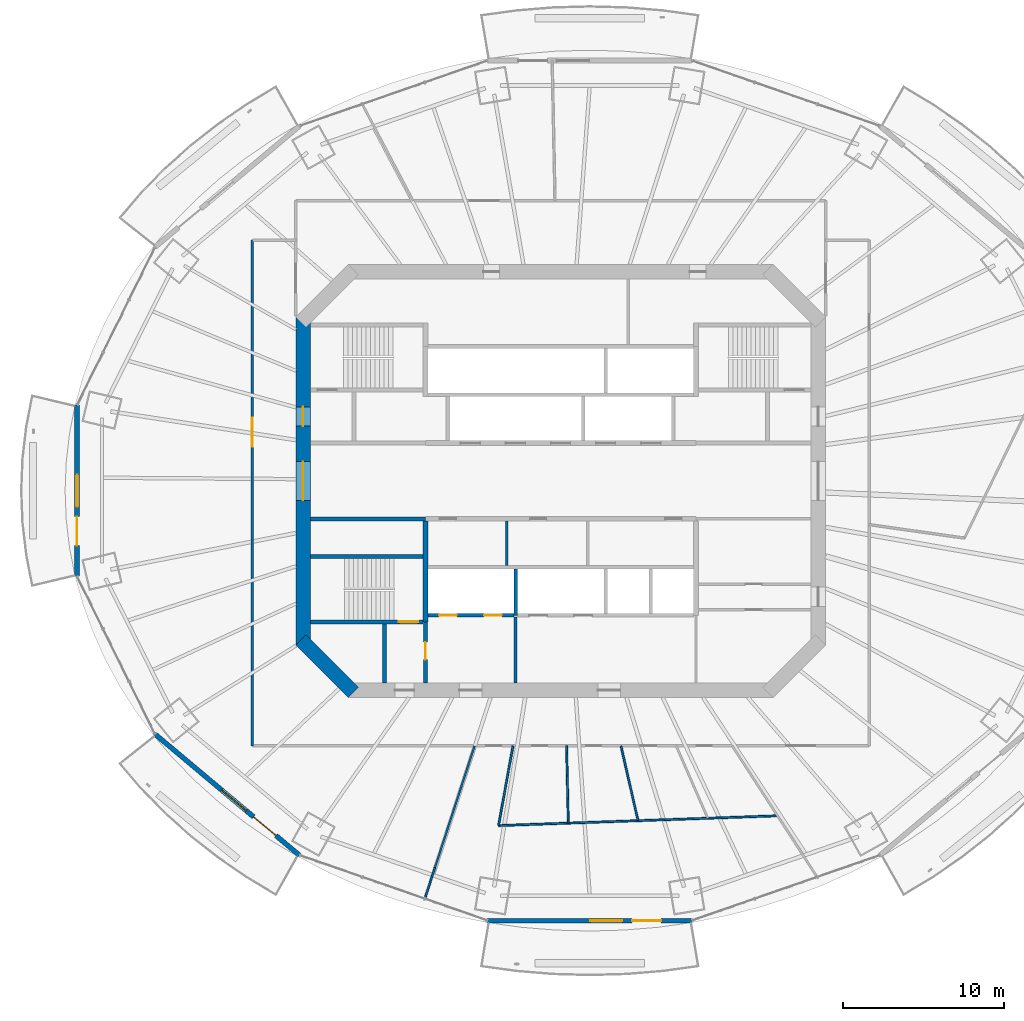
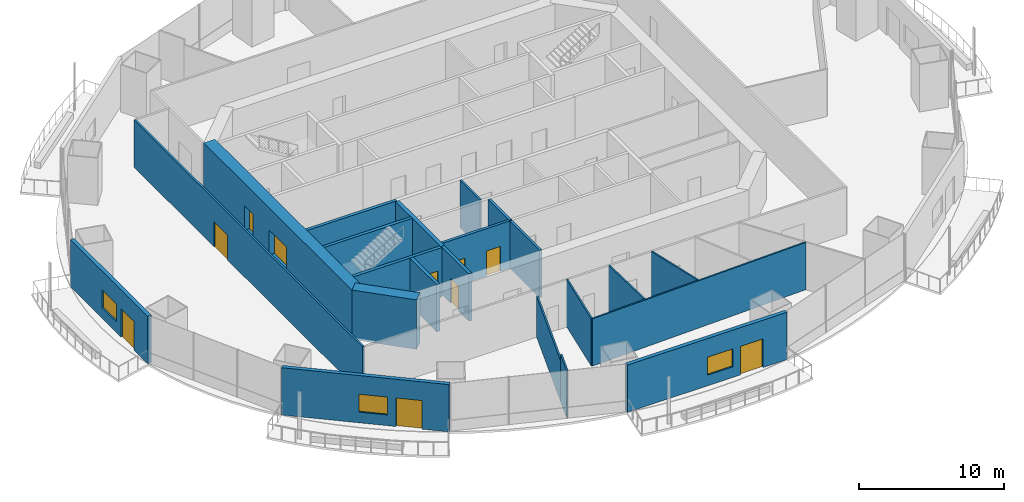
# One storey, part 11 of 20: 22 walls, 10 doors, 3 windows, 13 openings.
"""IFC4 building model written with IfcOpenShell, lengths in metres."""

from ifc_helpers import new_model, si_unit, direction, frame, frame_2d, origin, place, context, subcontext, project, spatial, rectangle, extrude, material, layer, layer_set, type_object, element, fill, save


model = new_model("IFC4")

# Units and contexts
model_context = context("Model", 3, precision=1e-05, world=origin(), true_north=direction((0.0, 1.0)))
body_context = subcontext(model_context, "Body", "Model", "MODEL_VIEW")
ifc_project = project(units=[si_unit("LENGTHUNIT", "METRE"), si_unit("AREAUNIT", "SQUARE_METRE"), si_unit("VOLUMEUNIT", "CUBIC_METRE"), si_unit("PLANEANGLEUNIT", "RADIAN"), si_unit("MASSUNIT", "GRAM", prefix="KILO")], contexts=[model_context])

# Site, building, storey
site_placement = place(None, origin())
site = spatial("IfcSite", under=ifc_project, at=site_placement, CompositionType="ELEMENT")
building_placement = place(site_placement, origin())
building = spatial("IfcBuilding", under=site, at=building_placement, Name="Marenthal Gate Tower", CompositionType="ELEMENT")
storey_placement = place(building_placement, frame((0.0, 0.0, 181.800048828125)))
storey = spatial("IfcBuildingStorey", under=building, at=storey_placement, Name="L39", CompositionType="ELEMENT", Elevation=181.800048828125)

# Wall, openings, doors
ifc_material_1 = material(Name="Concrete 60 MPa", Category="concrete")
ifc_layer_1 = layer(ifc_material_1, 0.89990234375)
ifc_layer_set_1 = layer_set([ifc_layer_1], Name="Core shear wall 900")
wall_type_1 = type_object("IfcWallType", Name="Core shear wall 900", PredefinedType="SHEAR", material=ifc_layer_set_1)
wall_1_placement = place(storey_placement, frame((-16.0, 10.186279296875, -0.179931640625), z_axis=(0.0, 0.0, 1.0), x_axis=(0.0, -1.0, 0.0)))
wall_1 = element("IfcWall", 1, at=wall_1_placement, inside=storey, type_object=wall_type_1, Name="Core wall 06", PredefinedType="SHEAR", context=body_context, shape_type="SweptSolid", body=[
    extrude(rectangle(XDim=20.37255859375, YDim=0.89990234375, at=frame_2d((10.186279296875, 0.0))), origin(), (0.0, 0.0, 1.0), 4.14990234375),
])
opening_1_placement = place(wall_1_placement, frame((8.986328125, 0.0, 0.179931640625)))
opening_1 = element("IfcOpeningElement", 2, at=opening_1_placement, cuts=wall_1, Name="Opening D003.01", PredefinedType="OPENING", context=body_context, shape_type="SweptSolid", body=[
    extrude(rectangle(XDim=2.39990234375, YDim=2.10009765625, at=frame_2d((1.199951171875, 1.050048828125))), frame((0.0, 0.4599609375, 0.0), z_axis=(0.0, -1.0, 0.0), x_axis=(1.0, 0.0, 0.0)), (0.0, 0.0, 1.0), 0.919921875),
])
opening_2_placement = place(wall_1_placement, frame((5.58642578125, 0.0, 0.179931640625)))
opening_2 = element("IfcOpeningElement", 3, at=opening_2_placement, cuts=wall_1, Name="Opening D001.04", PredefinedType="OPENING", context=body_context, shape_type="SweptSolid", body=[
    extrude(rectangle(XDim=1.199951171875, YDim=2.10009765625, at=frame_2d((0.60009765625, 1.050048828125))), frame((0.0, 0.4599609375, 0.0), z_axis=(0.0, -1.0, 0.0), x_axis=(1.0, 0.0, 0.0)), (0.0, 0.0, 1.0), 0.919921875),
])
ifc_material_2 = material(Name="Steel fire door", Category="steel")
door_type_1 = type_object("IfcDoorType", Name="Double fire door FD 45 2400 x 2100", OperationType="DOUBLE_DOOR_SINGLE_SWING", PredefinedType="DOOR", material=ifc_material_2)
door_1_placement = place(opening_1_placement, origin())
door_1 = element("IfcDoor", 4, at=door_1_placement, inside=storey, type_object=door_type_1, Name="Door D003.01", OperationType="DOUBLE_DOOR_SINGLE_SWING", OverallHeight=2.10009765625, OverallWidth=2.39990234375, PredefinedType="DOOR", context=body_context, shape_type="SweptSolid", body=[
    extrude(rectangle(XDim=2.39990234375, YDim=2.10009765625, at=frame_2d((1.199951171875, 1.050048828125))), frame((0.0, 0.02490234375, 0.0), z_axis=(0.0, -1.0, 0.0), x_axis=(1.0, 0.0, 0.0)), (0.0, 0.0, 1.0), 0.050048828125),
])
fill(opening_1, door_1)
ifc_material_3 = material(Name="Steel fire door", Category="steel")
door_type_2 = type_object("IfcDoorType", Name="Fire door FD 90 1200 x 2100", OperationType="NOTDEFINED", PredefinedType="DOOR", material=ifc_material_3)
door_2_placement = place(opening_2_placement, origin())
door_2 = element("IfcDoor", 5, at=door_2_placement, inside=storey, type_object=door_type_2, Name="Door D001.04", OperationType="SINGLE_SWING_RIGHT", OverallHeight=2.10009765625, OverallWidth=1.199951171875, PredefinedType="DOOR", context=body_context, shape_type="SweptSolid", body=[
    extrude(rectangle(XDim=1.199951171875, YDim=2.10009765625, at=frame_2d((0.60009765625, 1.050048828125))), frame((0.0, 0.02490234375, 0.0), z_axis=(0.0, -1.0, 0.0), x_axis=(1.0, 0.0, 0.0)), (0.0, 0.0, 1.0), 0.050048828125),
])
fill(opening_2, door_2)

# Walls
wall_2_placement = place(storey_placement, frame((-16.1318359375, -9.8681640625, -0.179931640625), z_axis=(0.0, 0.0, 1.0), x_axis=(0.707106781187, -0.707106781187, 0.0)))
element("IfcWall", 6, at=wall_2_placement, inside=storey, type_object=wall_type_1, Name="Core wall 07", PredefinedType="SHEAR", context=body_context, shape_type="SweptSolid", body=[
    extrude(rectangle(XDim=4.615478515625, YDim=0.89990234375, at=frame_2d((2.3076171875, 0.0))), origin(), (0.0, 0.0, 1.0), 4.14990234375),
])
ifc_material_4 = material(Name="Gypsum board on steel studs", Category="steel")
ifc_layer_2 = layer(ifc_material_4, 0.199951171875)
ifc_layer_set_2 = layer_set([ifc_layer_2], Name="Fire lobby wall 200")
wall_type_2 = type_object("IfcWallType", Name="Fire lobby wall 200", PredefinedType="PARTITIONING", material=ifc_layer_set_2)
wall_3_placement = place(storey_placement, frame((-2.800048828125, -12.550048828125, 0.0), z_axis=(0.0, 0.0, 1.0), x_axis=(0.0, 1.0, 0.0)))
element("IfcWall", 7, at=wall_3_placement, inside=storey, type_object=wall_type_2, Name="Fire wall 36", PredefinedType="PARTITIONING", context=body_context, shape_type="SweptSolid", body=[
    extrude(rectangle(XDim=4.090087890625, YDim=0.199951171875, at=frame_2d((2.044921875, 0.0))), origin(), (0.0, 0.0, 1.0), 3.969970703125),
])
ifc_material_5 = material(Name="Concrete 50 MPa", Category="concrete")
ifc_layer_3 = layer(ifc_material_5, 0.300048828125)
ifc_layer_set_3 = layer_set([ifc_layer_3], Name="Hoistway shear wall 300")
wall_type_3 = type_object("IfcWallType", Name="Hoistway shear wall 300", PredefinedType="SHEAR", material=ifc_layer_set_3)
wall_4_placement = place(storey_placement, frame((-8.39990234375, -8.75, -0.179931640625), z_axis=(0.0, 0.0, 1.0), x_axis=(0.0, 1.0, 0.0)))
element("IfcWall", 8, at=wall_4_placement, inside=storey, type_object=wall_type_3, Name="Hoistway wall 31", PredefinedType="SHEAR", context=body_context, shape_type="SweptSolid", body=[
    extrude(rectangle(XDim=6.25, YDim=0.300048828125, at=frame_2d((3.125, 0.0))), origin(), (0.0, 0.0, 1.0), 4.14990234375),
])

# Wall, openings, doors
ifc_material_6 = material(Name="Concrete 40 MPa", Category="concrete")
ifc_layer_4 = layer(ifc_material_6, 0.219970703125)
ifc_layer_set_4 = layer_set([ifc_layer_4], Name="Hoistway wall 220")
wall_type_4 = type_object("IfcWallType", Name="Hoistway wall 220", PredefinedType="STANDARD", material=ifc_layer_set_4)
wall_5_placement = place(storey_placement, frame((-8.25, -8.35009765625, 0.0), z_axis=(0.0, 0.0, 1.0), x_axis=(1.0, 0.0, 0.0)))
wall_5 = element("IfcWall", 9, at=wall_5_placement, inside=storey, type_object=wall_type_4, Name="Hoistway wall 10", PredefinedType="STANDARD", context=body_context, shape_type="SweptSolid", body=[
    extrude(rectangle(XDim=5.340087890625, YDim=0.219970703125, at=frame_2d((2.669921875, 0.0))), origin(), (0.0, 0.0, 1.0), 3.969970703125),
])
opening_3_placement = place(wall_5_placement, frame((0.699951171875, 0.0, 0.0)))
opening_3 = element("IfcOpeningElement", 10, at=opening_3_placement, cuts=wall_5, Name="Opening LD-LF1", PredefinedType="OPENING", context=body_context, shape_type="SweptSolid", body=[
    extrude(rectangle(XDim=1.10009765625, YDim=2.10009765625, at=frame_2d((0.550048828125, 1.050048828125))), frame((0.0, 0.1201171875, 0.0), z_axis=(0.0, -1.0, 0.0), x_axis=(1.0, 0.0, 0.0)), (0.0, 0.0, 1.0), 0.239990234375),
])
opening_4_placement = place(wall_5_placement, frame((3.5, 0.0, 0.0)))
opening_4 = element("IfcOpeningElement", 11, at=opening_4_placement, cuts=wall_5, Name="Opening LD-LF2", PredefinedType="OPENING", context=body_context, shape_type="SweptSolid", body=[
    extrude(rectangle(XDim=1.10009765625, YDim=2.10009765625, at=frame_2d((0.550048828125, 1.050048828125))), frame((0.0, 0.1201171875, 0.0), z_axis=(0.0, -1.0, 0.0), x_axis=(1.0, 0.0, 0.0)), (0.0, 0.0, 1.0), 0.239990234375),
])
ifc_material_7 = material(Name="Stainless steel sliding door", Category="steel")
door_type_3 = type_object("IfcDoorType", Name="Lift landing door FD 90 1100 x 2100", OperationType="DOUBLE_DOOR_SLIDING", PredefinedType="DOOR", material=ifc_material_7)
door_3_placement = place(opening_3_placement, origin())
door_3 = element("IfcDoor", 12, at=door_3_placement, inside=storey, type_object=door_type_3, Name="Lift landing door LF1", OperationType="DOUBLE_DOOR_SLIDING", OverallHeight=2.10009765625, OverallWidth=1.10009765625, PredefinedType="DOOR", context=body_context, shape_type="SweptSolid", body=[
    extrude(rectangle(XDim=1.10009765625, YDim=2.10009765625, at=frame_2d((0.550048828125, 1.050048828125))), frame((0.0, 0.02490234375, 0.0), z_axis=(0.0, -1.0, 0.0), x_axis=(1.0, 0.0, 0.0)), (0.0, 0.0, 1.0), 0.050048828125),
])
fill(opening_3, door_3)
door_4_placement = place(opening_4_placement, origin())
door_4 = element("IfcDoor", 13, at=door_4_placement, inside=storey, type_object=door_type_3, Name="Lift landing door LF2", OperationType="DOUBLE_DOOR_SLIDING", OverallHeight=2.10009765625, OverallWidth=1.10009765625, PredefinedType="DOOR", context=body_context, shape_type="SweptSolid", body=[
    extrude(rectangle(XDim=1.10009765625, YDim=2.10009765625, at=frame_2d((0.550048828125, 1.050048828125))), frame((0.0, 0.02490234375, 0.0), z_axis=(0.0, -1.0, 0.0), x_axis=(1.0, 0.0, 0.0)), (0.0, 0.0, 1.0), 0.050048828125),
])
fill(opening_4, door_4)

# Walls
wall_6_placement = place(storey_placement, frame((-2.800048828125, -8.35009765625, 0.0), z_axis=(0.0, 0.0, 1.0), x_axis=(0.0, 1.0, 0.0)))
element("IfcWall", 14, at=wall_6_placement, inside=storey, type_object=wall_type_4, Name="Hoistway wall 37", PredefinedType="STANDARD", context=body_context, shape_type="SweptSolid", body=[
    extrude(rectangle(XDim=2.89013671875, YDim=0.219970703125, at=frame_2d((1.445068359375, 0.0))), origin(), (0.0, 0.0, 1.0), 3.969970703125),
])
ifc_material_8 = material(Name="Gypsum board on steel studs", Category="steel")
ifc_layer_5 = layer(ifc_material_8, 0.1201171875)
ifc_layer_set_5 = layer_set([ifc_layer_5], Name="Partition 120")
wall_type_5 = type_object("IfcWallType", Name="Partition 120", PredefinedType="PARTITIONING", material=ifc_layer_set_5)
wall_7_placement = place(storey_placement, frame((-5.352294921875, -16.449951171875, 0.0), z_axis=(0.0, 0.0, 1.0), x_axis=(-0.309412368686, -0.950927960523, 0.0)))
element("IfcWall", 15, at=wall_7_placement, inside=storey, type_object=wall_type_5, Name="Partition wall 55", PredefinedType="PARTITIONING", context=body_context, shape_type="SweptSolid", body=[
    extrude(rectangle(XDim=7.951171875, YDim=0.1201171875, at=frame_2d((3.9755859375, 0.0))), origin(), (0.0, 0.0, 1.0), 3.433837890625),
])
wall_8_placement = place(storey_placement, frame((-7.8125, -24.010986328125, 0.0), z_axis=(0.0, 0.0, 1.0), x_axis=(-0.309303264762, -0.950963453771, 0.0)))
element("IfcWall", 16, at=wall_8_placement, inside=storey, type_object=wall_type_5, Name="Partition wall 71", PredefinedType="PARTITIONING", context=body_context, shape_type="SweptSolid", body=[
    extrude(rectangle(XDim=2.033203125, YDim=0.1201171875, at=frame_2d((1.0166015625, 0.0))), origin(), (0.0, 0.0, 1.0), 3.969970703125),
])
wall_9_placement = place(storey_placement, frame((-3.859619140625, -21.3984375, 0.0), z_axis=(0.0, 0.0, 1.0), x_axis=(0.999384014625, 0.035094035277, 0.0)))
element("IfcWall", 17, at=wall_9_placement, inside=storey, type_object=wall_type_5, Name="Partition wall 56", PredefinedType="PARTITIONING", context=body_context, shape_type="SweptSolid", body=[
    extrude(rectangle(XDim=17.329345703125, YDim=0.1201171875, at=frame_2d((8.66455078125, 0.0))), origin(), (0.0, 0.0, 1.0), 3.969970703125),
])
wall_10_placement = place(storey_placement, frame((-3.859619140625, -21.3984375, 0.0), z_axis=(0.0, 0.0, 1.0), x_axis=(0.177509467823, 0.98411909281, 0.0)))
element("IfcWall", 18, at=wall_10_placement, inside=storey, type_object=wall_type_5, Name="Partition wall 57", PredefinedType="PARTITIONING", context=body_context, shape_type="SweptSolid", body=[
    extrude(rectangle(XDim=5.0283203125, YDim=0.1201171875, at=frame_2d((2.51416015625, 0.0))), origin(), (0.0, 0.0, 1.0), 3.969970703125),
])
wall_11_placement = place(storey_placement, frame((0.469970703125, -21.24658203125, 0.0), z_axis=(0.0, 0.0, 1.0), x_axis=(-0.022084498944, 0.999756107711, 0.0)))
element("IfcWall", 19, at=wall_11_placement, inside=storey, type_object=wall_type_5, Name="Partition wall 59", PredefinedType="PARTITIONING", context=body_context, shape_type="SweptSolid", body=[
    extrude(rectangle(XDim=4.7978515625, YDim=0.1201171875, at=frame_2d((2.39892578125, 0.0))), origin(), (0.0, 0.0, 1.0), 3.969970703125),
])
wall_12_placement = place(storey_placement, frame((4.7998046875, -21.094482421875, 0.0), z_axis=(0.0, 0.0, 1.0), x_axis=(-0.221882505737, 0.975073409364, 0.0)))
element("IfcWall", 20, at=wall_12_placement, inside=storey, type_object=wall_type_5, Name="Partition wall 60", PredefinedType="PARTITIONING", context=body_context, shape_type="SweptSolid", body=[
    extrude(rectangle(XDim=4.76318359375, YDim=0.1201171875, at=frame_2d((2.381591796875, 0.0))), origin(), (0.0, 0.0, 1.0), 3.969970703125),
])
ifc_material_9 = material(Name="Gypsum board on steel studs", Category="steel")
ifc_layer_6 = layer(ifc_material_9, 0.14990234375)
ifc_layer_set_6 = layer_set([ifc_layer_6], Name="Partition 150")
wall_type_6 = type_object("IfcWallType", Name="Partition 150", PredefinedType="PARTITIONING", material=ifc_layer_set_6)
wall_13_placement = place(storey_placement, frame((-3.360107421875, -5.239990234375, 0.0), z_axis=(0.0, 0.0, 1.0), x_axis=(0.0, 1.0, 0.0)))
element("IfcWall", 21, at=wall_13_placement, inside=storey, type_object=wall_type_6, Name="Partition wall 35", PredefinedType="PARTITIONING", context=body_context, shape_type="SweptSolid", body=[
    extrude(rectangle(XDim=2.739990234375, YDim=0.14990234375, at=frame_2d((1.3701171875, 0.0))), origin(), (0.0, 0.0, 1.0), 3.969970703125),
])

# Wall, opening, door
wall_14_placement = place(storey_placement, frame((-19.14990234375, -16.449951171875, 0.0), z_axis=(0.0, 0.0, 1.0), x_axis=(0.0, 1.0, 0.0)))
wall_14 = element("IfcWall", 22, at=wall_14_placement, inside=storey, type_object=wall_type_6, Name="Partition wall 50", PredefinedType="PARTITIONING", context=body_context, shape_type="SweptSolid", body=[
    extrude(rectangle(XDim=31.40478515625, YDim=0.14990234375, at=frame_2d((15.702392578125, 0.0))), origin(), (0.0, 0.0, 1.0), 3.969970703125),
])
opening_5_placement = place(wall_14_placement, frame((18.58203125, 0.0, 0.0)))
opening_5 = element("IfcOpeningElement", 23, at=opening_5_placement, cuts=wall_14, Name="Opening D014.02", PredefinedType="OPENING", context=body_context, shape_type="SweptSolid", body=[
    extrude(rectangle(XDim=1.800048828125, YDim=2.10009765625, at=frame_2d((0.89990234375, 1.050048828125))), frame((0.0, 0.0849609375, 0.0), z_axis=(0.0, -1.0, 0.0), x_axis=(1.0, 0.0, 0.0)), (0.0, 0.0, 1.0), 0.169921875),
])
ifc_material_10 = material(Name="Timber door", Category="wood")
door_type_4 = type_object("IfcDoorType", Name="Double door 1800 x 2100", OperationType="DOUBLE_DOOR_SINGLE_SWING", PredefinedType="DOOR", material=ifc_material_10)
door_5_placement = place(opening_5_placement, origin())
door_5 = element("IfcDoor", 24, at=door_5_placement, inside=storey, type_object=door_type_4, Name="Door D014.02", OperationType="DOUBLE_DOOR_SINGLE_SWING", OverallHeight=2.10009765625, OverallWidth=1.800048828125, PredefinedType="DOOR", context=body_context, shape_type="SweptSolid", body=[
    extrude(rectangle(XDim=1.800048828125, YDim=2.10009765625, at=frame_2d((0.89990234375, 1.050048828125))), frame((0.0, 0.02490234375, 0.0), z_axis=(0.0, -1.0, 0.0), x_axis=(1.0, 0.0, 0.0)), (0.0, 0.0, 1.0), 0.050048828125),
])
fill(opening_5, door_5)

# Walls
ifc_material_11 = material(Name="Concrete 40 MPa", Category="concrete")
ifc_layer_7 = layer(ifc_material_11, 0.25)
ifc_layer_set_7 = layer_set([ifc_layer_7], Name="Stair enclosure wall 250")
wall_type_7 = type_object("IfcWallType", Name="Stair enclosure wall 250", PredefinedType="STANDARD", material=ifc_layer_set_7)
wall_15_placement = place(storey_placement, frame((-15.550048828125, -2.35009765625, 0.0), z_axis=(0.0, 0.0, 1.0), x_axis=(1.0, 0.0, 0.0)))
element("IfcWall", 25, at=wall_15_placement, inside=storey, type_object=wall_type_7, Name="Stair wall 16", PredefinedType="STANDARD", context=body_context, shape_type="SweptSolid", body=[
    extrude(rectangle(XDim=7.150146484375, YDim=0.25, at=frame_2d((3.5751953125, 0.0))), origin(), (0.0, 0.0, 1.0), 3.969970703125),
])
wall_16_placement = place(storey_placement, frame((-10.949951171875, -12.550048828125, 0.0), z_axis=(0.0, 0.0, 1.0), x_axis=(0.0, 1.0, 0.0)))
element("IfcWall", 26, at=wall_16_placement, inside=storey, type_object=wall_type_7, Name="Stair wall 29", PredefinedType="STANDARD", context=body_context, shape_type="SweptSolid", body=[
    extrude(rectangle(XDim=3.675048828125, YDim=0.25, at=frame_2d((1.83740234375, 0.0))), origin(), (0.0, 0.0, 1.0), 3.969970703125),
])

# Wall, opening, door
wall_17_placement = place(storey_placement, frame((-8.39990234375, -12.550048828125, 0.0), z_axis=(0.0, 0.0, 1.0), x_axis=(0.0, 1.0, 0.0)))
wall_17 = element("IfcWall", 27, at=wall_17_placement, inside=storey, type_object=wall_type_7, Name="Stair wall 30", PredefinedType="STANDARD", context=body_context, shape_type="SweptSolid", body=[
    extrude(rectangle(XDim=3.800048828125, YDim=0.25, at=frame_2d((1.89990234375, 0.0))), origin(), (0.0, 0.0, 1.0), 3.969970703125),
])
opening_6_placement = place(wall_17_placement, frame((1.449951171875, 0.0, 0.0)))
opening_6 = element("IfcOpeningElement", 28, at=opening_6_placement, cuts=wall_17, Name="Opening D002.01", PredefinedType="OPENING", context=body_context, shape_type="SweptSolid", body=[
    extrude(rectangle(XDim=1.10009765625, YDim=2.10009765625, at=frame_2d((0.550048828125, 1.050048828125))), frame((0.0, 0.135009765625, 0.0), z_axis=(0.0, -1.0, 0.0), x_axis=(1.0, 0.0, 0.0)), (0.0, 0.0, 1.0), 0.27001953125),
])
ifc_material_12 = material(Name="Steel fire door", Category="steel")
door_type_5 = type_object("IfcDoorType", Name="Fire door FD 90 1100 x 2100", OperationType="NOTDEFINED", PredefinedType="DOOR", material=ifc_material_12)
door_6_placement = place(opening_6_placement, origin())
door_6 = element("IfcDoor", 29, at=door_6_placement, inside=storey, type_object=door_type_5, Name="Door D002.01", OperationType="SINGLE_SWING_RIGHT", OverallHeight=2.10009765625, OverallWidth=1.10009765625, PredefinedType="DOOR", context=body_context, shape_type="SweptSolid", body=[
    extrude(rectangle(XDim=1.10009765625, YDim=2.10009765625, at=frame_2d((0.550048828125, 1.050048828125))), frame((0.0, 0.02490234375, 0.0), z_axis=(0.0, -1.0, 0.0), x_axis=(1.0, 0.0, 0.0)), (0.0, 0.0, 1.0), 0.050048828125),
])
fill(opening_6, door_6)

ifc_material_13 = material(Name="Concrete 50 MPa", Category="concrete")
ifc_layer_8 = layer(ifc_material_13, 0.25)
ifc_layer_set_8 = layer_set([ifc_layer_8], Name="Stair shear wall 250")
wall_type_8 = type_object("IfcWallType", Name="Stair shear wall 250", PredefinedType="SHEAR", material=ifc_layer_set_8)
wall_18_placement = place(storey_placement, frame((-15.550048828125, -8.75, -0.179931640625), z_axis=(0.0, 0.0, 1.0), x_axis=(1.0, 0.0, 0.0)))
wall_18 = element("IfcWall", 30, at=wall_18_placement, inside=storey, type_object=wall_type_8, Name="Stair wall 09", PredefinedType="SHEAR", context=body_context, shape_type="SweptSolid", body=[
    extrude(rectangle(XDim=7.0, YDim=0.25, at=frame_2d((3.5, 0.0))), origin(), (0.0, 0.0, 1.0), 4.14990234375),
])
opening_7_placement = place(wall_18_placement, frame((5.5, 0.0, 0.179931640625)))
opening_7 = element("IfcOpeningElement", 31, at=opening_7_placement, cuts=wall_18, Name="Opening D001.03", PredefinedType="OPENING", context=body_context, shape_type="SweptSolid", body=[
    extrude(rectangle(XDim=1.199951171875, YDim=2.10009765625, at=frame_2d((0.60009765625, 1.050048828125))), frame((0.0, 0.135009765625, 0.0), z_axis=(0.0, -1.0, 0.0), x_axis=(1.0, 0.0, 0.0)), (0.0, 0.0, 1.0), 0.27001953125),
])
door_7_placement = place(opening_7_placement, origin())
door_7 = element("IfcDoor", 32, at=door_7_placement, inside=storey, type_object=door_type_2, Name="Door D001.03", OperationType="SINGLE_SWING_RIGHT", OverallHeight=2.10009765625, OverallWidth=1.199951171875, PredefinedType="DOOR", context=body_context, shape_type="SweptSolid", body=[
    extrude(rectangle(XDim=1.199951171875, YDim=2.10009765625, at=frame_2d((0.60009765625, 1.050048828125))), frame((0.0, 0.02490234375, 0.0), z_axis=(0.0, -1.0, 0.0), x_axis=(1.0, 0.0, 0.0)), (0.0, 0.0, 1.0), 0.050048828125),
])
fill(opening_7, door_7)

# Wall
wall_19_placement = place(storey_placement, frame((-15.550048828125, -4.699951171875, -0.179931640625), z_axis=(0.0, 0.0, 1.0), x_axis=(1.0, 0.0, 0.0)))
element("IfcWall", 33, at=wall_19_placement, inside=storey, type_object=wall_type_8, Name="Stair wall 15", PredefinedType="SHEAR", context=body_context, shape_type="SweptSolid", body=[
    extrude(rectangle(XDim=7.0, YDim=0.25, at=frame_2d((3.5, 0.0))), origin(), (0.0, 0.0, 1.0), 4.14990234375),
])

# Wall, openings, door, window
ifc_material_14 = material(Name="Terracotta cladding on insulated concrete-block backing", Category="masonry")
ifc_layer_9 = layer(ifc_material_14, 0.300048828125)
ifc_layer_set_9 = layer_set([ifc_layer_9], Name="Terracotta facade wall 300")
wall_type_9 = type_object("IfcWallType", Name="Terracotta facade wall 300", PredefinedType="SOLIDWALL", material=ifc_layer_set_9)
wall_20_placement = place(storey_placement, frame((-30.033203125, 4.71142578125, 0.0), z_axis=(0.0, 0.0, 1.0), x_axis=(0.0, -1.0, 0.0)))
wall_20 = element("IfcWall", 34, at=wall_20_placement, inside=storey, type_object=wall_type_9, Name="Terracotta facade wall L39 bay 8", PredefinedType="SOLIDWALL", context=body_context, shape_type="SweptSolid", body=[
    extrude(rectangle(XDim=10.623046875, YDim=0.300048828125, at=frame_2d((5.3115234375, 0.0))), origin(), (0.0, 0.0, 1.0), 3.969970703125),
])
opening_8_placement = place(wall_20_placement, frame((6.923095703125, 0.0, 0.0)))
opening_8 = element("IfcOpeningElement", 35, at=opening_8_placement, cuts=wall_20, Name="Opening BD-L39-08", PredefinedType="OPENING", context=body_context, shape_type="SweptSolid", body=[
    extrude(rectangle(XDim=1.800048828125, YDim=2.39990234375, at=frame_2d((0.89990234375, 1.199951171875))), frame((0.0, 0.16015625, 0.0), z_axis=(0.0, -1.0, 0.0), x_axis=(1.0, 0.0, 0.0)), (0.0, 0.0, 1.0), 0.320068359375),
])
opening_9_placement = place(wall_20_placement, frame((4.322998046875, 0.0, 0.89990234375)))
opening_9 = element("IfcOpeningElement", 36, at=opening_9_placement, cuts=wall_20, Name="Opening WN2-L39-08", PredefinedType="OPENING", context=body_context, shape_type="SweptSolid", body=[
    extrude(rectangle(XDim=2.0, YDim=1.5, at=frame_2d((1.0, 0.75))), frame((0.0, 0.16015625, 0.0), z_axis=(0.0, -1.0, 0.0), x_axis=(1.0, 0.0, 0.0)), (0.0, 0.0, 1.0), 0.320068359375),
])
ifc_material_15 = material(Name="Aluminium and glass", Category="aluminium")
door_type_6 = type_object("IfcDoorType", Name="Balcony door 1800x2400", OperationType="DOUBLE_DOOR_SINGLE_SWING", PredefinedType="DOOR", material=ifc_material_15)
door_8_placement = place(opening_8_placement, origin())
door_8 = element("IfcDoor", 37, at=door_8_placement, inside=storey, type_object=door_type_6, Name="Balcony door L39 bay 8", OperationType="SINGLE_SWING_LEFT", OverallHeight=2.39990234375, OverallWidth=1.800048828125, PredefinedType="DOOR", context=body_context, shape_type="SweptSolid", body=[
    extrude(rectangle(XDim=1.800048828125, YDim=2.39990234375, at=frame_2d((0.89990234375, 1.199951171875))), frame((0.0, 0.02490234375, 0.0), z_axis=(0.0, -1.0, 0.0), x_axis=(1.0, 0.0, 0.0)), (0.0, 0.0, 1.0), 0.050048828125),
])
fill(opening_8, door_8)
ifc_material_16 = material(Name="Aluminium and glass", Category="aluminium")
window_type = type_object("IfcWindowType", Name="Window 2000x1500", PartitioningType="DOUBLE_PANEL_VERTICAL", PredefinedType="WINDOW", material=ifc_material_16)
window_1_placement = place(opening_9_placement, origin())
window_1 = element("IfcWindow", 38, at=window_1_placement, inside=storey, type_object=window_type, Name="Window L39 bay 8", OverallHeight=1.5, OverallWidth=2.0, PartitioningType="SINGLE_PANEL", PredefinedType="WINDOW", context=body_context, shape_type="SweptSolid", body=[
    extrude(rectangle(XDim=2.0, YDim=1.5, at=frame_2d((1.0, 0.75))), frame((0.0, 0.030029296875, 0.0), z_axis=(0.0, -1.0, 0.0), x_axis=(1.0, 0.0, 0.0)), (0.0, 0.0, 1.0), 0.06005859375),
])
fill(opening_9, window_1)

wall_21_placement = place(storey_placement, frame((-25.18701171875, -15.72607421875, 0.0), z_axis=(0.0, 0.0, 1.0), x_axis=(0.766150735347, -0.642660914268, 0.0)))
wall_21 = element("IfcWall", 39, at=wall_21_placement, inside=storey, type_object=wall_type_9, Name="Terracotta facade wall L39 bay 10", PredefinedType="SOLIDWALL", context=body_context, shape_type="SweptSolid", body=[
    extrude(rectangle(XDim=11.68798828125, YDim=0.300048828125, at=frame_2d((5.843994140625, 0.0))), origin(), (0.0, 0.0, 1.0), 3.969970703125),
])
opening_10_placement = place(wall_21_placement, frame((7.98828125, 0.0, 0.0)))
opening_10 = element("IfcOpeningElement", 40, at=opening_10_placement, cuts=wall_21, Name="Opening BD-L39-10", PredefinedType="OPENING", context=body_context, shape_type="SweptSolid", body=[
    extrude(rectangle(XDim=1.800048828125, YDim=2.39990234375, at=frame_2d((0.89990234375, 1.199951171875))), frame((0.0, 0.16015625, 0.0), z_axis=(0.0, -1.0, 0.0), x_axis=(1.0, 0.0, 0.0)), (0.0, 0.0, 1.0), 0.320068359375),
])
opening_11_placement = place(wall_21_placement, frame((5.38818359375, 0.0, 0.89990234375)))
opening_11 = element("IfcOpeningElement", 41, at=opening_11_placement, cuts=wall_21, Name="Opening WN2-L39-10", PredefinedType="OPENING", context=body_context, shape_type="SweptSolid", body=[
    extrude(rectangle(XDim=2.0, YDim=1.5, at=frame_2d((1.0, 0.75))), frame((0.0, 0.16015625, 0.0), z_axis=(0.0, -1.0, 0.0), x_axis=(1.0, 0.0, 0.0)), (0.0, 0.0, 1.0), 0.320068359375),
])
door_9_placement = place(opening_10_placement, origin())
door_9 = element("IfcDoor", 42, at=door_9_placement, inside=storey, type_object=door_type_6, Name="Balcony door L39 bay 10", OperationType="SINGLE_SWING_LEFT", OverallHeight=2.39990234375, OverallWidth=1.800048828125, PredefinedType="DOOR", context=body_context, shape_type="SweptSolid", body=[
    extrude(rectangle(XDim=1.800048828125, YDim=2.39990234375, at=frame_2d((0.89990234375, 1.199951171875))), frame((0.0, 0.02490234375, 0.0), z_axis=(0.0, -1.0, 0.0), x_axis=(1.0, 0.0, 0.0)), (0.0, 0.0, 1.0), 0.050048828125),
])
fill(opening_10, door_9)
window_2_placement = place(opening_11_placement, origin())
window_2 = element("IfcWindow", 43, at=window_2_placement, inside=storey, type_object=window_type, Name="Window L39 bay 10", OverallHeight=1.5, OverallWidth=2.0, PartitioningType="SINGLE_PANEL", PredefinedType="WINDOW", context=body_context, shape_type="SweptSolid", body=[
    extrude(rectangle(XDim=2.0, YDim=1.5, at=frame_2d((1.0, 0.75))), frame((0.0, 0.030029296875, 0.0), z_axis=(0.0, -1.0, 0.0), x_axis=(1.0, 0.0, 0.0)), (0.0, 0.0, 1.0), 0.06005859375),
])
fill(opening_11, window_2)

wall_22_placement = place(storey_placement, frame((-4.531982421875, -27.302978515625, 0.0), z_axis=(0.0, 0.0, 1.0), x_axis=(1.0, 0.0, 0.0)))
wall_22 = element("IfcWall", 44, at=wall_22_placement, inside=storey, type_object=wall_type_9, Name="Terracotta facade wall L39 bay 12", PredefinedType="SOLIDWALL", context=body_context, shape_type="SweptSolid", body=[
    extrude(rectangle(XDim=12.6640625, YDim=0.300048828125, at=frame_2d((6.33203125, 0.0))), origin(), (0.0, 0.0, 1.0), 3.969970703125),
])
opening_12_placement = place(wall_22_placement, frame((8.964111328125, 0.0, 0.0)))
opening_12 = element("IfcOpeningElement", 45, at=opening_12_placement, cuts=wall_22, Name="Opening BD-L39-12", PredefinedType="OPENING", context=body_context, shape_type="SweptSolid", body=[
    extrude(rectangle(XDim=1.800048828125, YDim=2.39990234375, at=frame_2d((0.89990234375, 1.199951171875))), frame((0.0, 0.16015625, 0.0), z_axis=(0.0, -1.0, 0.0), x_axis=(1.0, 0.0, 0.0)), (0.0, 0.0, 1.0), 0.320068359375),
])
opening_13_placement = place(wall_22_placement, frame((6.364013671875, 0.0, 0.89990234375)))
opening_13 = element("IfcOpeningElement", 46, at=opening_13_placement, cuts=wall_22, Name="Opening WN2-L39-12", PredefinedType="OPENING", context=body_context, shape_type="SweptSolid", body=[
    extrude(rectangle(XDim=2.0, YDim=1.5, at=frame_2d((1.0, 0.75))), frame((0.0, 0.16015625, 0.0), z_axis=(0.0, -1.0, 0.0), x_axis=(1.0, 0.0, 0.0)), (0.0, 0.0, 1.0), 0.320068359375),
])
door_10_placement = place(opening_12_placement, origin())
door_10 = element("IfcDoor", 47, at=door_10_placement, inside=storey, type_object=door_type_6, Name="Balcony door L39 bay 12", OperationType="SINGLE_SWING_LEFT", OverallHeight=2.39990234375, OverallWidth=1.800048828125, PredefinedType="DOOR", context=body_context, shape_type="SweptSolid", body=[
    extrude(rectangle(XDim=1.800048828125, YDim=2.39990234375, at=frame_2d((0.89990234375, 1.199951171875))), frame((0.0, 0.02490234375, 0.0), z_axis=(0.0, -1.0, 0.0), x_axis=(1.0, 0.0, 0.0)), (0.0, 0.0, 1.0), 0.050048828125),
])
fill(opening_12, door_10)
window_3_placement = place(opening_13_placement, origin())
window_3 = element("IfcWindow", 48, at=window_3_placement, inside=storey, type_object=window_type, Name="Window L39 bay 12", OverallHeight=1.5, OverallWidth=2.0, PartitioningType="SINGLE_PANEL", PredefinedType="WINDOW", context=body_context, shape_type="SweptSolid", body=[
    extrude(rectangle(XDim=2.0, YDim=1.5, at=frame_2d((1.0, 0.75))), frame((0.0, 0.030029296875, 0.0), z_axis=(0.0, -1.0, 0.0), x_axis=(1.0, 0.0, 0.0)), (0.0, 0.0, 1.0), 0.06005859375),
])
fill(opening_13, window_3)

save(model, "model.ifc")
